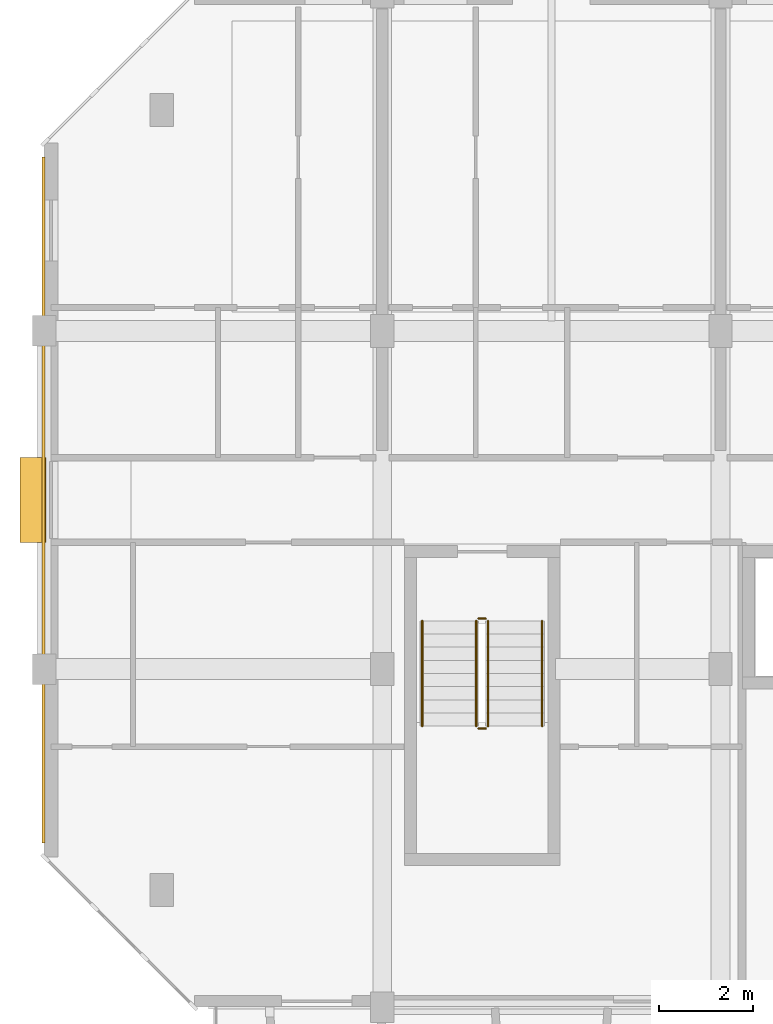
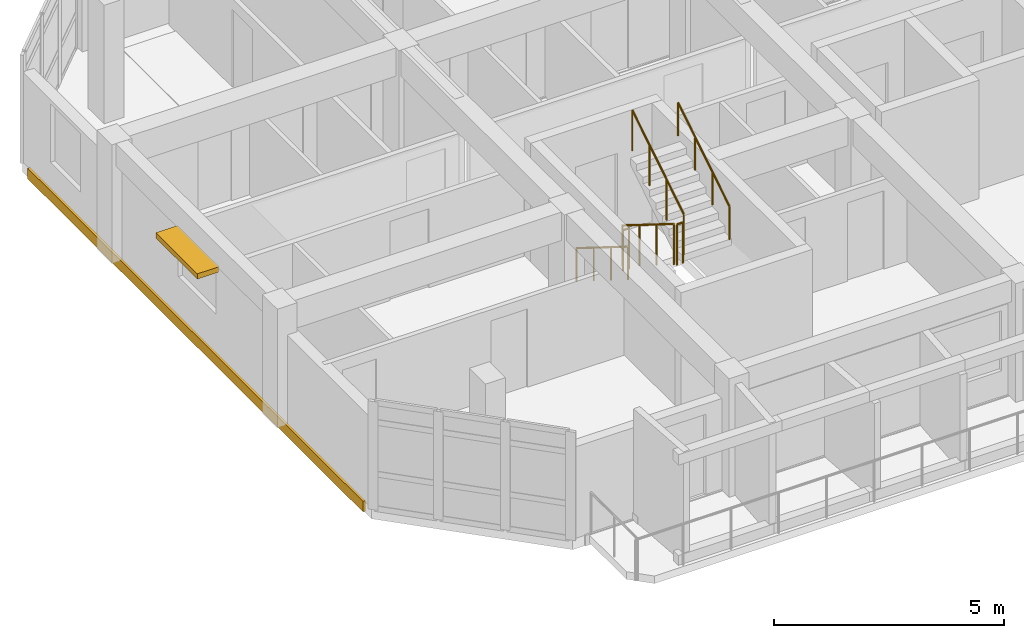
# One storey, part 56 of 64: 6 railings, 1 covering, 1 shading device.
"""IFC4 building model written with IfcOpenShell, lengths in metres."""

from ifc_helpers import new_model, si_unit, direction, frame, origin, origin_2d, place, context, subcontext, project, spatial, rectangle, circle, extrude, material, layer, layer_set, type_object, element, save


model = new_model("IFC4")

# Units and contexts
model_context = context("Model", 3, precision=1e-05, world=origin(), true_north=direction((0.0, 1.0)))
body_context = subcontext(model_context, "Body", "Model", "MODEL_VIEW")
ifc_project = project(units=[si_unit("LENGTHUNIT", "METRE"), si_unit("AREAUNIT", "SQUARE_METRE"), si_unit("VOLUMEUNIT", "CUBIC_METRE"), si_unit("PLANEANGLEUNIT", "RADIAN"), si_unit("MASSUNIT", "GRAM", prefix="KILO")], contexts=[model_context])

# Site, building, storey
site_placement = place(None, origin())
site = spatial("IfcSite", under=ifc_project, at=site_placement, CompositionType="ELEMENT")
building_placement = place(site_placement, origin())
building = spatial("IfcBuilding", under=site, at=building_placement, Name="Ochrevale Crest", CompositionType="ELEMENT")
storey_placement = place(building_placement, frame((0.0, 0.0, 8.699951171875)))
storey = spatial("IfcBuildingStorey", under=building, at=storey_placement, Name="L02", CompositionType="ELEMENT", Elevation=8.699951171875)

# Covering
ifc_material_1 = material(Name="Glazed terracotta rainscreen tile", Category="masonry")
ifc_layer = layer(ifc_material_1, 0.048095703125)
ifc_layer_set = layer_set([ifc_layer], Name="Glazed terracotta rainscreen tile")
covering_type = type_object("IfcCoveringType", Name="COV-CLAD-TER", PredefinedType="CLADDING", material=ifc_layer_set)
covering_placement = place(storey_placement, frame((-0.014404296875, 82.800048828125, -0.259765625), z_axis=(0.0, 0.0, 1.0), x_axis=(0.0, -1.0, 0.0)))
element("IfcCovering", 1, at=covering_placement, inside=storey, type_object=covering_type, Name="Block B L02 terracotta slab-edge spandrel cladding", PredefinedType="CLADDING", context=body_context, shape_type="SweptSolid", body=[
    extrude(rectangle(XDim=14.60009765625, YDim=0.06005859375, at=origin_2d()), origin(), (0.0, 0.0, 1.0), 0.280029296875),
])

# Railings
ifc_material_2 = material(Name="Galvanised steel", Category="steel")
railing_type_1 = type_object("IfcRailingType", Name="RL-ST-GUARD", PredefinedType="BALUSTRADE", material=ifc_material_2)
railing_1_placement = place(storey_placement, frame((9.199951171875, 80.22509765625, 0.175048828125)))
element("IfcRailing", 2, at=railing_1_placement, inside=storey, type_object=railing_type_1, Name="L02 ST-B1 stair guard 1", PredefinedType="BALUSTRADE", context=body_context, shape_type="SweptSolid", body=[
    extrude(circle(Radius=0.02392578125, at=origin_2d()), frame((0.0, 0.0, 1.076171875), z_axis=(0.0, -0.848013881152, 0.529974015752), x_axis=(1.0, 0.0, 0.0)), (0.0, 0.0, 1.0), 2.641357421875),
    extrude(circle(Radius=0.02099609375, at=origin_2d()), origin(), (0.0, 0.0, 1.0), 1.052001953125),
    extrude(circle(Radius=0.02099609375, at=origin_2d()), frame((0.0, -0.74658203125, 0.466552734375)), (0.0, 0.0, 1.0), 1.052001953125),
    extrude(circle(Radius=0.02099609375, at=origin_2d()), frame((0.0, -1.493408203125, 0.933349609375)), (0.0, 0.0, 1.0), 1.052001953125),
    extrude(circle(Radius=0.02099609375, at=origin_2d()), frame((0.0, -2.239990234375, 1.39990234375)), (0.0, 0.0, 1.0), 1.052001953125),
])
railing_2_placement = place(storey_placement, frame((9.25, 77.93505859375, 1.574951171875)))
element("IfcRailing", 3, at=railing_2_placement, inside=storey, type_object=railing_type_1, Name="L02 ST-B1 stair guard 2", PredefinedType="BALUSTRADE", context=body_context, shape_type="SweptSolid", body=[
    extrude(circle(Radius=0.02392578125, at=origin_2d()), frame((0.0, 0.0, 1.076171875), z_axis=(1.0, 0.0, 0.0), x_axis=(0.0, 1.0, 0.0)), (0.0, 0.0, 1.0), 0.14990234375),
    extrude(circle(Radius=0.02099609375, at=origin_2d()), origin(), (0.0, 0.0, 1.0), 1.052001953125),
    extrude(circle(Radius=0.02099609375, at=origin_2d()), frame((0.14990234375, 0.0, 0.0)), (0.0, 0.0, 1.0), 1.052001953125),
])
railing_3_placement = place(storey_placement, frame((9.449951171875, 77.985107421875, 1.75)))
element("IfcRailing", 4, at=railing_3_placement, inside=storey, type_object=railing_type_1, Name="L02 ST-B1 stair guard 3", PredefinedType="BALUSTRADE", context=body_context, shape_type="SweptSolid", body=[
    extrude(circle(Radius=0.02392578125, at=origin_2d()), frame((0.0, 0.0, 1.076171875), z_axis=(0.0, 0.847972341737, 0.530040477369), x_axis=(-1.0, 0.0, 0.0)), (0.0, 0.0, 1.0), 2.6416015625),
    extrude(circle(Radius=0.02099609375, at=origin_2d()), origin(), (0.0, 0.0, 1.0), 1.052001953125),
    extrude(circle(Radius=0.02099609375, at=origin_2d()), frame((0.0, 0.74658203125, 0.466796875)), (0.0, 0.0, 1.0), 1.052001953125),
    extrude(circle(Radius=0.02099609375, at=origin_2d()), frame((0.0, 1.493408203125, 0.933349609375)), (0.0, 0.0, 1.0), 1.052001953125),
    extrude(circle(Radius=0.02099609375, at=origin_2d()), frame((0.0, 2.239990234375, 1.400146484375)), (0.0, 0.0, 1.0), 1.052001953125),
])
railing_4_placement = place(storey_placement, frame((9.25, 80.27490234375, 0.0)))
element("IfcRailing", 5, at=railing_4_placement, inside=storey, type_object=railing_type_1, Name="L02 ST-B1 stair guard 4", PredefinedType="BALUSTRADE", context=body_context, shape_type="SweptSolid", body=[
    extrude(circle(Radius=0.02392578125, at=origin_2d()), frame((0.0, 0.0, 1.076171875), z_axis=(1.0, 0.0, 0.0), x_axis=(0.0, 1.0, 0.0)), (0.0, 0.0, 1.0), 0.14990234375),
    extrude(circle(Radius=0.02099609375, at=origin_2d()), origin(), (0.0, 0.0, 1.0), 1.052001953125),
    extrude(circle(Radius=0.02099609375, at=origin_2d()), frame((0.14990234375, 0.0, 0.0)), (0.0, 0.0, 1.0), 1.052001953125),
])
ifc_material_3 = material(Name="Stainless steel", Category="steel")
railing_type_2 = type_object("IfcRailingType", Name="RL-ST-HRAIL", PredefinedType="HANDRAIL", material=ifc_material_3)
railing_5_placement = place(storey_placement, frame((8.050048828125, 80.22509765625, 0.175048828125)))
element("IfcRailing", 6, at=railing_5_placement, inside=storey, type_object=railing_type_2, Name="L02 ST-B1 stair handrail 1", PredefinedType="HANDRAIL", context=body_context, shape_type="SweptSolid", body=[
    extrude(circle(Radius=0.02392578125, at=origin_2d()), frame((0.0, 0.0, 0.8759765625), z_axis=(0.0, -0.848013881152, 0.529974015752), x_axis=(1.0, 0.0, 0.0)), (0.0, 0.0, 1.0), 2.641357421875),
    extrude(circle(Radius=0.02099609375, at=origin_2d()), origin(), (0.0, 0.0, 1.0), 0.851806640625),
    extrude(circle(Radius=0.02099609375, at=origin_2d()), frame((0.0, -0.74658203125, 0.466552734375)), (0.0, 0.0, 1.0), 0.851806640625),
    extrude(circle(Radius=0.02099609375, at=origin_2d()), frame((0.0, -1.493408203125, 0.933349609375)), (0.0, 0.0, 1.0), 0.851806640625),
    extrude(circle(Radius=0.02099609375, at=origin_2d()), frame((0.0, -2.239990234375, 1.39990234375)), (0.0, 0.0, 1.0), 0.851806640625),
])
railing_6_placement = place(storey_placement, frame((10.60009765625, 77.985107421875, 1.75)))
element("IfcRailing", 7, at=railing_6_placement, inside=storey, type_object=railing_type_2, Name="L02 ST-B1 stair handrail 2", PredefinedType="HANDRAIL", context=body_context, shape_type="SweptSolid", body=[
    extrude(circle(Radius=0.02392578125, at=origin_2d()), frame((0.0, 0.0, 0.8759765625), z_axis=(0.0, 0.847972341737, 0.530040477369), x_axis=(-1.0, 0.0, 0.0)), (0.0, 0.0, 1.0), 2.6416015625),
    extrude(circle(Radius=0.02099609375, at=origin_2d()), origin(), (0.0, 0.0, 1.0), 0.851806640625),
    extrude(circle(Radius=0.02099609375, at=origin_2d()), frame((0.0, 0.74658203125, 0.466796875)), (0.0, 0.0, 1.0), 0.851806640625),
    extrude(circle(Radius=0.02099609375, at=origin_2d()), frame((0.0, 1.493408203125, 0.933349609375)), (0.0, 0.0, 1.0), 0.851806640625),
    extrude(circle(Radius=0.02099609375, at=origin_2d()), frame((0.0, 2.239990234375, 1.400146484375)), (0.0, 0.0, 1.0), 0.851806640625),
])

# Shading device
ifc_material_4 = material(Name="Anodised aluminium 6063-T5", Category="aluminium")
shading_device_type = type_object("IfcShadingDeviceType", Name="SHD-SUNSHADE-OC", PredefinedType="USERDEFINED", material=ifc_material_4)
shading_device_placement = place(storey_placement, frame((-0.239990234375, 82.800048828125, 2.2099609375), z_axis=(0.0, 0.0, 1.0), x_axis=(1.0, 0.0, 0.0)))
element("IfcShadingDevice", 8, at=shading_device_placement, inside=storey, type_object=shading_device_type, Name="Block B L02 gable window sunshade W", ObjectType="HORIZONTAL SUNSHADE", PredefinedType="USERDEFINED", context=body_context, shape_type="SweptSolid", body=[
    extrude(rectangle(XDim=0.550048828125, YDim=1.800048828125, at=origin_2d()), origin(), (0.0, 0.0, 1.0), 0.139892578125),
])

save(model, "model.ifc")
